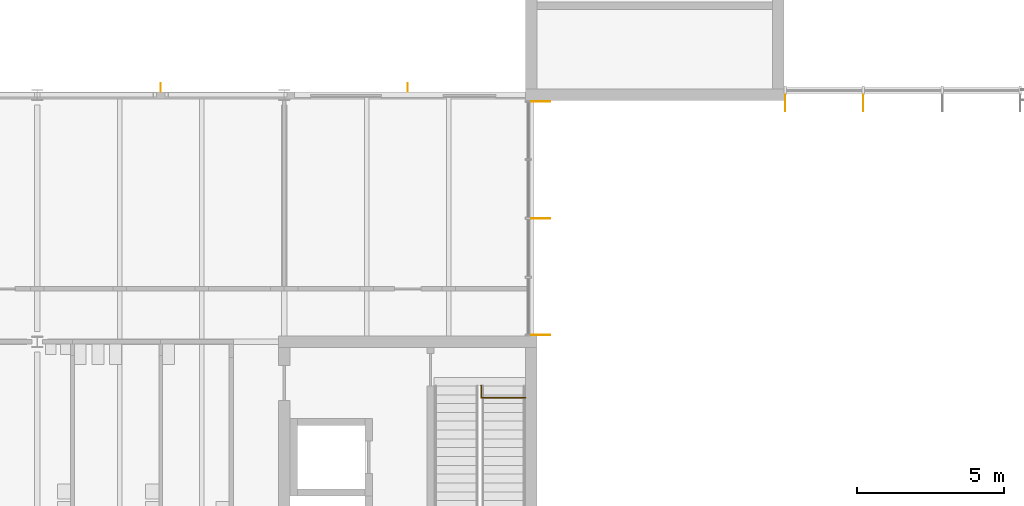
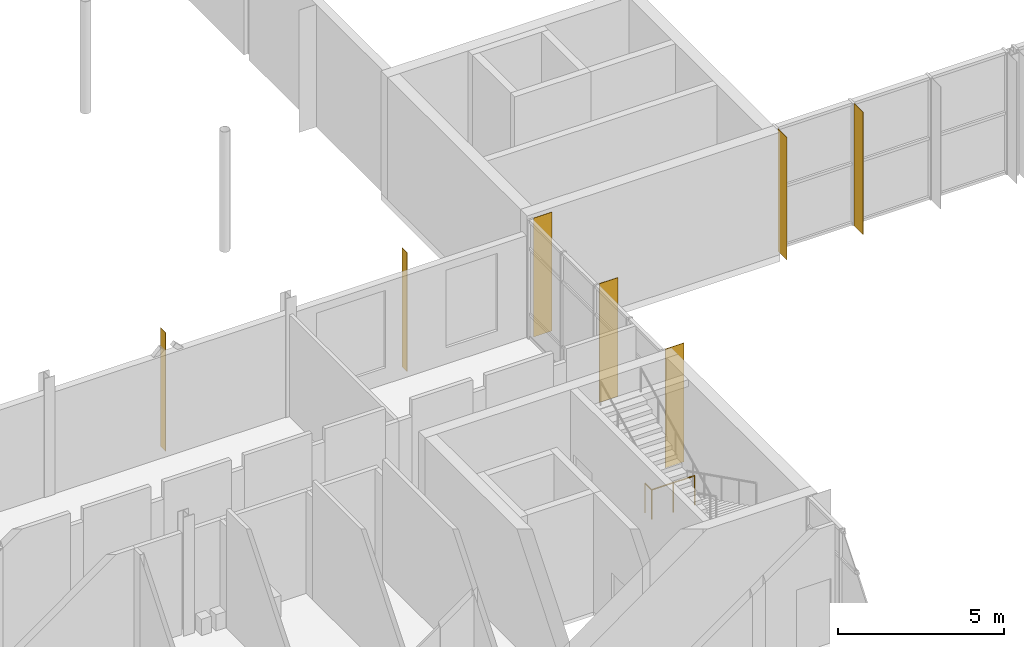
# One storey, part 79 of 89: 7 shading devices, 1 railing.
"""IFC4 building model written with IfcOpenShell, lengths in metres."""

from ifc_helpers import new_model, si_unit, direction, frame, origin, origin_2d, place, context, subcontext, project, spatial, rectangle, circle, extrude, material, layer, layer_set, type_object, element, save


model = new_model("IFC4")

# Units and contexts
model_context = context("Model", 3, precision=1e-05, world=origin(), true_north=direction((0.0, 1.0)))
body_context = subcontext(model_context, "Body", "Model", "MODEL_VIEW")
ifc_project = project(units=[si_unit("LENGTHUNIT", "METRE"), si_unit("AREAUNIT", "SQUARE_METRE"), si_unit("VOLUMEUNIT", "CUBIC_METRE"), si_unit("PLANEANGLEUNIT", "RADIAN"), si_unit("MASSUNIT", "GRAM", prefix="KILO")], contexts=[model_context])

# Site, building, storey
site_placement = place(None, origin())
site = spatial("IfcSite", under=ifc_project, at=site_placement, CompositionType="ELEMENT")
building_placement = place(site_placement, origin())
building = spatial("IfcBuilding", under=site, at=building_placement, Name="Hlaing Beacon Police Headquarters", CompositionType="ELEMENT")
storey_placement = place(building_placement, frame((0.0, 0.0, 9.89990234375)))
storey = spatial("IfcBuildingStorey", under=building, at=storey_placement, Name="L02", CompositionType="ELEMENT", Elevation=9.89990234375)

# Shading devices
ifc_material_1 = material(Name="Aluminium 6063-T5 anodised", Category="aluminium")
ifc_layer_1 = layer(ifc_material_1, 0.011962890625)
ifc_layer_set_1 = layer_set([ifc_layer_1], Name="Aluminium 6063-T5 anodised")
shading_device_type_1 = type_object("IfcShadingDeviceType", Name="Aluminium fin 12x300", PredefinedType="JALOUSIE", material=ifc_layer_set_1)
for number, where, z_axis, x_axis, name in (
    (1, (54.60009765625, 33.85009765625, 0.0), (0.0, 0.0, 1.0), (-1.0, 0.0, 0.0), "Fin L02 N005"),
    (2, (46.199951171875, 33.85009765625, 0.0), (0.0, 0.0, 1.0), (-1.0, 0.0, 0.0), "Fin L02 N006"),
):
    element("IfcShadingDevice", number, at=place(storey_placement, frame(where, z_axis=z_axis, x_axis=x_axis)), inside=storey, type_object=shading_device_type_1, Name=name, PredefinedType="JALOUSIE", context=body_context, shape_type="SweptSolid", body=[
        extrude(rectangle(XDim=0.011962890625, YDim=0.300048828125, at=origin_2d()), origin(), (0.0, 0.0, 1.0), 4.3701171875),
    ])
ifc_material_2 = material(Name="Aluminium 6063-T5 anodised", Category="aluminium")
ifc_layer_2 = layer(ifc_material_2, 0.011962890625)
ifc_layer_set_2 = layer_set([ifc_layer_2], Name="Aluminium 6063-T5 anodised")
shading_device_type_2 = type_object("IfcShadingDeviceType", Name="Aluminium fin 12x550", PredefinedType="JALOUSIE", material=ifc_layer_set_2)
for number, where, z_axis, x_axis, name in (
    (3, (67.43994140625, 33.324951171875, 0.0), (0.0, 0.0, 1.0), (1.0, 0.0, 0.0), "Fin L02 S005.0"),
    (4, (70.090576171875, 33.324951171875, 0.0), (0.0, 0.0, 1.0), (1.0, 0.0, 0.0), "Fin L02 S005.1"),
):
    element("IfcShadingDevice", number, at=place(storey_placement, frame(where, z_axis=z_axis, x_axis=x_axis)), inside=storey, type_object=shading_device_type_2, Name=name, PredefinedType="JALOUSIE", context=body_context, shape_type="SweptSolid", body=[
        extrude(rectangle(XDim=0.011962890625, YDim=0.550048828125, at=origin_2d()), origin(), (0.0, 0.0, 1.0), 4.5),
    ])
ifc_material_3 = material(Name="Aluminium 6063-T5 anodised", Category="aluminium")
ifc_layer_3 = layer(ifc_material_3, 0.01611328125)
ifc_layer_set_3 = layer_set([ifc_layer_3], Name="Aluminium 6063-T5 anodised")
shading_device_type_3 = type_object("IfcShadingDeviceType", Name="Aluminium fin 16x650", PredefinedType="JALOUSIE", material=ifc_layer_set_3)
for number, where, z_axis, x_axis, name in (
    (5, (59.125, 25.429931640625, 0.0), (0.0, 0.0, 1.0), (0.0, 1.0, 0.0), "Fin L02 E008.0"),
    (6, (59.125, 29.39990234375, 0.0), (0.0, 0.0, 1.0), (0.0, 1.0, 0.0), "Fin L02 E008.2"),
    (7, (59.125, 33.3701171875, 0.0), (0.0, 0.0, 1.0), (0.0, 1.0, 0.0), "Fin L02 E008.4"),
):
    element("IfcShadingDevice", number, at=place(storey_placement, frame(where, z_axis=z_axis, x_axis=x_axis)), inside=storey, type_object=shading_device_type_3, Name=name, PredefinedType="JALOUSIE", context=body_context, shape_type="SweptSolid", body=[
        extrude(rectangle(XDim=0.01611328125, YDim=0.64990234375, at=origin_2d()), origin(), (0.0, 0.0, 1.0), 4.3701171875),
    ])

# Railing
ifc_material_4 = material(Name="Stainless steel", Category="steel")
railing_type = type_object("IfcRailingType", Name="Stair guard 1100", PredefinedType="GUARDRAIL", material=ifc_material_4)
railing_placement = place(storey_placement, frame((58.60009765625, 23.300048828125, 0.0)))
element("IfcRailing", 8, at=railing_placement, inside=storey, type_object=railing_type, Name="Guard ST-K", PredefinedType="GUARDRAIL", context=body_context, shape_type="SweptSolid", body=[
    extrude(circle(Radius=0.02392578125, at=origin_2d()), frame((0.0, 0.0, 1.076171875), z_axis=(-1.0, 0.0, 0.0), x_axis=(0.0, -1.0, 0.0)), (0.0, 0.0, 1.0), 1.5),
    extrude(circle(Radius=0.02392578125, at=origin_2d()), frame((-1.5, 0.0, 1.076171875), z_axis=(0.0, 1.0, 0.0), x_axis=(-1.0, 0.0, 0.0)), (0.0, 0.0, 1.0), 0.39990234375),
    extrude(circle(Radius=0.02099609375, at=origin_2d()), origin(), (0.0, 0.0, 1.0), 1.052001953125),
    extrude(circle(Radius=0.02099609375, at=origin_2d()), frame((-0.75, 0.0, 0.0)), (0.0, 0.0, 1.0), 1.052001953125),
    extrude(circle(Radius=0.02099609375, at=origin_2d()), frame((-1.5, 0.0, 0.0)), (0.0, 0.0, 1.0), 1.052001953125),
    extrude(circle(Radius=0.02099609375, at=origin_2d()), frame((-1.5, 0.39990234375, 0.0)), (0.0, 0.0, 1.0), 1.052001953125),
])

save(model, "model.ifc")
